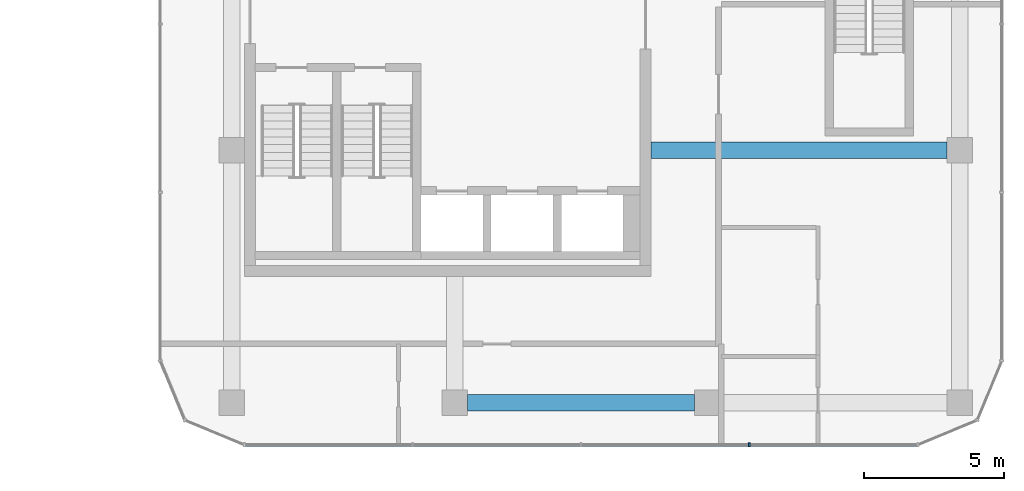
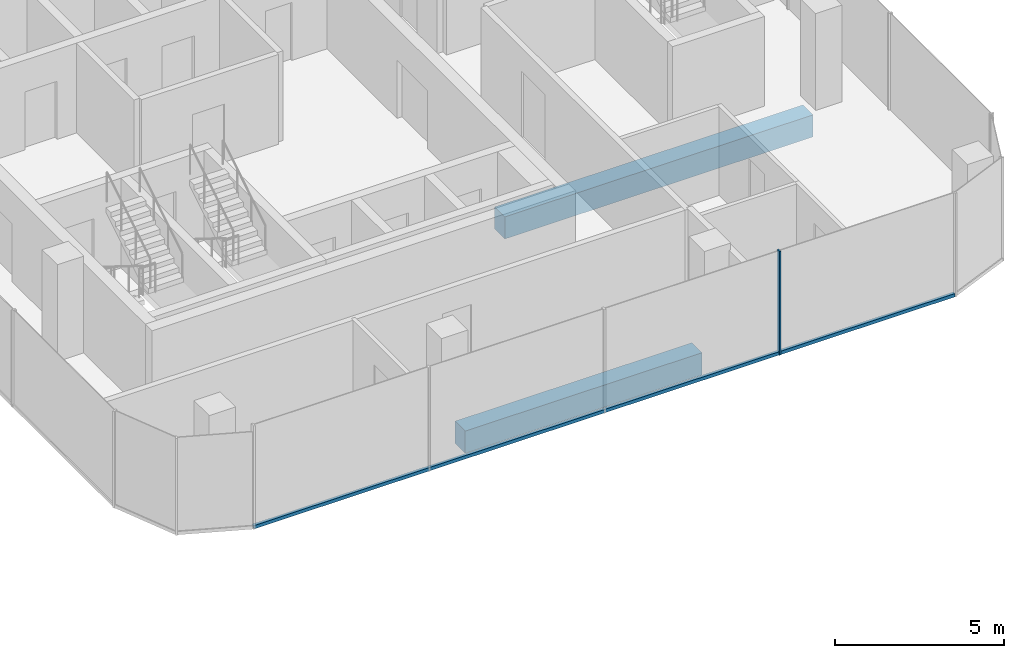
# One storey, part 8 of 22: 2 beams, 2 members, 1 element without a shape of its own.
"""IFC4 building model written with IfcOpenShell, lengths in metres."""

from ifc_helpers import new_model, si_unit, direction, frame, origin, origin_2d, place, context, subcontext, project, spatial, rectangle, extrude, material, layer, layer_set, material_profile, profile_set, type_object, element, aggregate, save


model = new_model("IFC4")

# Units and contexts
model_context = context("Model", 3, precision=1e-05, world=origin(), true_north=direction((0.0, 1.0)))
body_context = subcontext(model_context, "Body", "Model", "MODEL_VIEW")
ifc_project = project(units=[si_unit("LENGTHUNIT", "METRE"), si_unit("AREAUNIT", "SQUARE_METRE"), si_unit("VOLUMEUNIT", "CUBIC_METRE"), si_unit("PLANEANGLEUNIT", "RADIAN"), si_unit("MASSUNIT", "GRAM", prefix="KILO")], contexts=[model_context])

# Site, building, storey
site_placement = place(None, origin())
site = spatial("IfcSite", under=ifc_project, at=site_placement, CompositionType="ELEMENT")
building_placement = place(site_placement, origin())
building = spatial("IfcBuilding", under=site, at=building_placement, Name="Plateau Cross Towers", CompositionType="ELEMENT")
storey_placement = place(building_placement, frame((0.0, 0.0, 113.300048828125)))
storey = spatial("IfcBuildingStorey", under=building, at=storey_placement, Name="L29", CompositionType="ELEMENT", Elevation=113.300048828125)

# Beam
ifc_material_1 = material(Name="Concrete C60/75", Category="concrete")
ifc_material_profile_1 = material_profile(ifc_material_1, rectangle(XDim=0.60009765625, YDim=0.800048828125, at=origin_2d()), Name="RC 600x800")
ifc_profile_set_1 = profile_set([ifc_material_profile_1], Name="Concrete C60/75")
beam_type_1 = type_object("IfcBeamType", Name="Core beam RC 600x800", PredefinedType="BEAM", material=ifc_profile_set_1)
beam_1_placement = place(storey_placement, frame((89.5, 4.5, -0.650146484375), z_axis=(1.0, 0.0, 0.0), x_axis=(0.0, 1.0, 0.0)))
element("IfcBeam", 1, at=beam_1_placement, inside=storey, type_object=beam_type_1, Name="B-CB02@L29", PredefinedType="BEAM", context=body_context, shape_type="SweptSolid", body=[
    extrude(rectangle(XDim=0.60009765625, YDim=0.800048828125, at=origin_2d()), origin(), (0.0, 0.0, 1.0), 10.550048828125),
])

# Curtain wall, member
ifc_material_2 = material(Name="Dark low-iron glass", Category="glass")
ifc_layer = layer(ifc_material_2, 0.239990234375)
ifc_layer_set = layer_set([ifc_layer], Name="Dark low-iron glass")
curtain_wall_type = type_object("IfcCurtainWallType", Name="Curtain wall office unitised CW-F", PredefinedType="NOTDEFINED", material=ifc_layer_set)
curtain_wall_placement = place(storey_placement, origin())
curtain_wall = element("IfcCurtainWall", 2, at=curtain_wall_placement, inside=storey, type_object=curtain_wall_type, Name="ENV/B/L29/B750_-60", PredefinedType="NOTDEFINED")
ifc_material_3 = material(Name="Black anodised aluminium", Category="aluminium")
ifc_material_profile_2 = material_profile(ifc_material_3, rectangle(XDim=0.06005859375, YDim=0.139892578125, at=origin_2d()), Name="MULLION 60x140")
ifc_profile_set_2 = profile_set([ifc_material_profile_2], Name="Black anodised aluminium")
member_type_1 = type_object("IfcMemberType", Name="Mullion 60x140 office unitised", PredefinedType="MULLION", material=ifc_profile_set_2)
member_1_placement = place(storey_placement, frame((93.0, -6.0, -0.25), z_axis=(0.0, 0.0, 1.0), x_axis=(1.0, 0.0, 0.0)))
member_1 = element("IfcMember", 3, at=member_1_placement, type_object=member_type_1, Name="CW-F mullion 4", PredefinedType="MULLION", context=body_context, shape_type="SweptSolid", body=[
    extrude(rectangle(XDim=0.06005859375, YDim=0.139892578125, at=origin_2d()), origin(), (0.0, 0.0, 1.0), 3.75),
])

# Beam
ifc_material_profile_3 = material_profile(ifc_material_1, rectangle(XDim=0.60009765625, YDim=0.800048828125, at=origin_2d()), Name="RC 600x800")
ifc_profile_set_3 = profile_set([ifc_material_profile_3], Name="Concrete C60/75")
beam_type_2 = type_object("IfcBeamType", Name="Ring beam RC 600x800", PredefinedType="BEAM", material=ifc_profile_set_3)
beam_2_placement = place(storey_placement, frame((82.949951171875, -4.5, -0.650146484375), z_axis=(1.0, 0.0, 0.0), x_axis=(0.0, 1.0, 0.0)))
element("IfcBeam", 4, at=beam_2_placement, inside=storey, type_object=beam_type_2, Name="B-RB01@L29", PredefinedType="BEAM", context=body_context, shape_type="SweptSolid", body=[
    extrude(rectangle(XDim=0.60009765625, YDim=0.800048828125, at=origin_2d()), origin(), (0.0, 0.0, 1.0), 8.10009765625),
])

# Member
ifc_material_profile_4 = material_profile(ifc_material_3, rectangle(XDim=0.10009765625, YDim=0.1201171875, at=origin_2d()), Name="TRANSOM 100x120")
ifc_profile_set_4 = profile_set([ifc_material_profile_4], Name="Black anodised aluminium")
member_type_2 = type_object("IfcMemberType", Name="Transom 100x120 office unitised", PredefinedType="USERDEFINED", material=ifc_profile_set_4)
member_2_placement = place(storey_placement, frame((75.0, -6.0, -0.18994140625), z_axis=(1.0, 0.0, 0.0), x_axis=(0.0, 1.0, 0.0)))
member_2 = element("IfcMember", 5, at=member_2_placement, type_object=member_type_2, Name="CW-F transom", ObjectType="TRANSOM", PredefinedType="USERDEFINED", context=body_context, shape_type="SweptSolid", body=[
    extrude(rectangle(XDim=0.10009765625, YDim=0.1201171875, at=origin_2d()), origin(), (0.0, 0.0, 1.0), 24.0),
])

aggregate(curtain_wall, [member_1, member_2])

save(model, "model.ifc")
